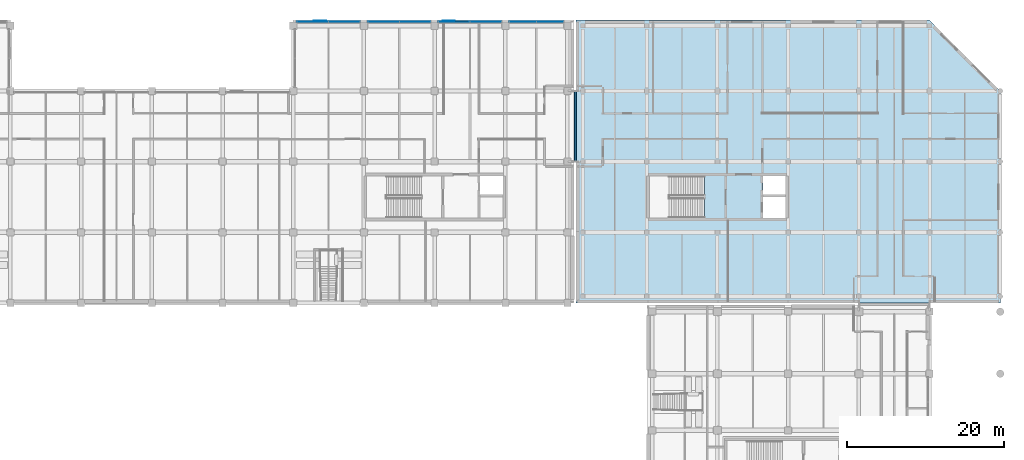
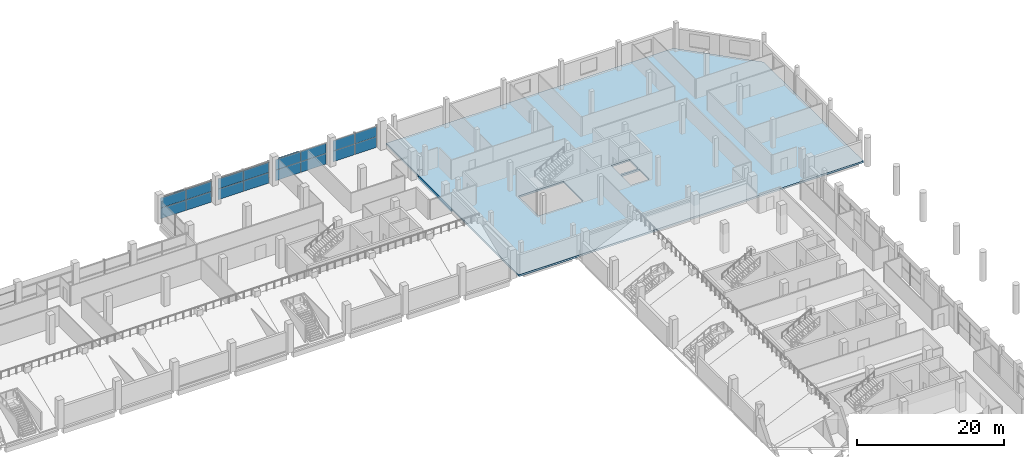
# One storey, part 50 of 100: 19 plates, 2 slabs, 4 elements without a shape of their own.
"""IFC4 building model written with IfcOpenShell, lengths in metres."""

from ifc_helpers import new_model, si_unit, direction, frame, origin, origin_2d, place, context, subcontext, project, spatial, polyline, rectangle, outline, extrude, material, layer, layer_set, type_object, element, aggregate, save


model = new_model("IFC4")

# Units and contexts
model_context = context("Model", 3, precision=1e-05, world=origin(), true_north=direction((0.0, 1.0)))
body_context = subcontext(model_context, "Body", "Model", "MODEL_VIEW")
ifc_project = project(units=[si_unit("LENGTHUNIT", "METRE"), si_unit("AREAUNIT", "SQUARE_METRE"), si_unit("VOLUMEUNIT", "CUBIC_METRE"), si_unit("PLANEANGLEUNIT", "RADIAN"), si_unit("MASSUNIT", "GRAM", prefix="KILO"), si_unit("THERMODYNAMICTEMPERATUREUNIT", "KELVIN"), si_unit("POWERUNIT", "WATT")], contexts=[model_context])

# Site, building, storey
site_placement = place(None, origin())
site = spatial("IfcSite", under=ifc_project, at=site_placement, CompositionType="ELEMENT")
building_placement = place(site_placement, origin())
building = spatial("IfcBuilding", under=site, at=building_placement, Name="Sindhuravela Promenade Stadium", CompositionType="ELEMENT")
storey_placement = place(building_placement, frame((0.0, 0.0, 4.800048828125)))
storey = spatial("IfcBuildingStorey", under=building, at=storey_placement, Name="L01", CompositionType="ELEMENT", Elevation=4.800048828125)

# Plates
ifc_material_1 = material(Name="Perforated terracotta celosia brick (15 MPa)", Category="masonry")
ifc_layer_1 = layer(ifc_material_1, 0.090087890625)
ifc_layer_set_1 = layer_set([ifc_layer_1], Name="Perforated terracotta celosia brick (15 MPa)")
plate_type_1 = type_object("IfcPlateType", Name="CL-SCR-01", PredefinedType="USERDEFINED", material=ifc_layer_set_1)
plate_1_placement = place(storey_placement, frame((129.405029296875, 161.8798828125, 0.0), z_axis=(0.0, 0.0, 1.0), x_axis=(1.0, 0.0, 0.0)))
element("IfcPlate", 1, at=plate_1_placement, inside=storey, type_object=plate_type_1, Name="Perforated brick celosia screen NORTH L01-148", ObjectType="SCREEN PANEL", PredefinedType="USERDEFINED", context=body_context, shape_type="SweptSolid", body=[
    extrude(rectangle(XDim=1.56005859375, YDim=0.090087890625, at=origin_2d()), origin(), (0.0, 0.0, 1.0), 3.580078125),
])
ifc_layer_2 = layer(ifc_material_1, 0.114990234375)
ifc_layer_set_2 = layer_set([ifc_layer_2], Name="Perforated terracotta celosia brick (15 MPa)")
plate_type_2 = type_object("IfcPlateType", Name="CL-SCR-02", PredefinedType="USERDEFINED", material=ifc_layer_set_2)
plate_2_placement = place(storey_placement, frame((145.804931640625, 161.8798828125, 0.0), z_axis=(0.0, 0.0, 1.0), x_axis=(1.0, 0.0, 0.0)))
element("IfcPlate", 2, at=plate_2_placement, inside=storey, type_object=plate_type_2, Name="Perforated brick celosia screen NORTH L01-149", ObjectType="SCREEN PANEL", PredefinedType="USERDEFINED", context=body_context, shape_type="SweptSolid", body=[
    extrude(rectangle(XDim=1.56005859375, YDim=0.114990234375, at=origin_2d()), origin(), (0.0, 0.0, 1.0), 3.580078125),
])
ifc_layer_3 = layer(ifc_material_1, 0.139892578125)
ifc_layer_set_3 = layer_set([ifc_layer_3], Name="Perforated terracotta celosia brick (15 MPa)")
plate_type_3 = type_object("IfcPlateType", Name="CL-SCR-03", PredefinedType="USERDEFINED", material=ifc_layer_set_3)
plate_3_placement = place(storey_placement, frame((147.405029296875, 161.8798828125, 0.0), z_axis=(0.0, 0.0, 1.0), x_axis=(1.0, 0.0, 0.0)))
element("IfcPlate", 3, at=plate_3_placement, inside=storey, type_object=plate_type_3, Name="Perforated brick celosia screen NORTH L01-150", ObjectType="SCREEN PANEL", PredefinedType="USERDEFINED", context=body_context, shape_type="SweptSolid", body=[
    extrude(rectangle(XDim=1.56005859375, YDim=0.139892578125, at=origin_2d()), origin(), (0.0, 0.0, 1.0), 3.580078125),
])

# Curtain wall, plates
ifc_material_2 = material(Name="Anodised architectural aluminium 6063-T6", Category="aluminium")
curtain_wall_type_1 = type_object("IfcCurtainWallType", Name="CW-MOD-5", PredefinedType="NOTDEFINED", material=ifc_material_2)
curtain_wall_1_placement = place(storey_placement, origin())
curtain_wall_1 = element("IfcCurtainWall", 4, at=curtain_wall_1_placement, inside=storey, type_object=curtain_wall_type_1, Name="Bronze curtain wall CW-NORTH-L01-148", PredefinedType="NOTDEFINED")
ifc_material_3 = material(Name="Tempered laminated low-E glass", Category="glass")
ifc_layer_4 = layer(ifc_material_3, 0.028076171875)
ifc_layer_set_4 = layer_set([ifc_layer_4], Name="Tempered laminated low-E glass")
plate_type_4 = type_object("IfcPlateType", Name="CW-PNL-01", PredefinedType="CURTAIN_PANEL", material=ifc_layer_set_4)
plate_4_placement = place(storey_placement, frame((128.5, 161.800048828125, 0.01513671875), z_axis=(0.0, 0.0, 1.0), x_axis=(1.0, 0.0, 0.0)))
plate_4 = element("IfcPlate", 5, at=plate_4_placement, type_object=plate_type_4, Name="Glazed curtain panel CW-NORTH-L01-148-P1.1", PredefinedType="CURTAIN_PANEL", context=body_context, shape_type="SweptSolid", body=[
    extrude(rectangle(XDim=3.93994140625, YDim=0.028076171875, at=origin_2d()), origin(), (0.0, 0.0, 1.0), 1.760009765625),
])
plate_5_placement = place(storey_placement, frame((128.5, 161.800048828125, 1.80517578125), z_axis=(0.0, 0.0, 1.0), x_axis=(1.0, 0.0, 0.0)))
plate_5 = element("IfcPlate", 6, at=plate_5_placement, type_object=plate_type_4, Name="Glazed curtain panel CW-NORTH-L01-148-P1.2", PredefinedType="CURTAIN_PANEL", context=body_context, shape_type="SweptSolid", body=[
    extrude(rectangle(XDim=3.93994140625, YDim=0.028076171875, at=origin_2d()), origin(), (0.0, 0.0, 1.0), 1.679931640625),
])
plate_6_placement = place(storey_placement, frame((132.5, 161.800048828125, 0.01513671875), z_axis=(0.0, 0.0, 1.0), x_axis=(1.0, 0.0, 0.0)))
plate_6 = element("IfcPlate", 7, at=plate_6_placement, type_object=plate_type_4, Name="Glazed curtain panel CW-NORTH-L01-148-P2.1", PredefinedType="CURTAIN_PANEL", context=body_context, shape_type="SweptSolid", body=[
    extrude(rectangle(XDim=3.93994140625, YDim=0.028076171875, at=origin_2d()), origin(), (0.0, 0.0, 1.0), 1.760009765625),
])
plate_7_placement = place(storey_placement, frame((132.5, 161.800048828125, 1.80517578125), z_axis=(0.0, 0.0, 1.0), x_axis=(1.0, 0.0, 0.0)))
plate_7 = element("IfcPlate", 8, at=plate_7_placement, type_object=plate_type_4, Name="Glazed curtain panel CW-NORTH-L01-148-P2.2", PredefinedType="CURTAIN_PANEL", context=body_context, shape_type="SweptSolid", body=[
    extrude(rectangle(XDim=3.93994140625, YDim=0.028076171875, at=origin_2d()), origin(), (0.0, 0.0, 1.0), 1.679931640625),
])
aggregate(curtain_wall_1, [plate_4, plate_5, plate_6, plate_7])

curtain_wall_type_2 = type_object("IfcCurtainWallType", Name="CW-MOD-7", PredefinedType="NOTDEFINED", material=ifc_material_2)
curtain_wall_2_placement = place(storey_placement, origin())
curtain_wall_2 = element("IfcCurtainWall", 9, at=curtain_wall_2_placement, inside=storey, type_object=curtain_wall_type_2, Name="Bronze curtain wall CW-NORTH-L01-150", PredefinedType="NOTDEFINED")
plate_8_placement = place(storey_placement, frame((146.5, 161.800048828125, 0.01513671875), z_axis=(0.0, 0.0, 1.0), x_axis=(1.0, 0.0, 0.0)))
plate_8 = element("IfcPlate", 10, at=plate_8_placement, type_object=plate_type_4, Name="Glazed curtain panel CW-NORTH-L01-150-P1.1", PredefinedType="CURTAIN_PANEL", context=body_context, shape_type="SweptSolid", body=[
    extrude(rectangle(XDim=3.93994140625, YDim=0.028076171875, at=origin_2d()), origin(), (0.0, 0.0, 1.0), 1.760009765625),
])
plate_9_placement = place(storey_placement, frame((146.5, 161.800048828125, 1.80517578125), z_axis=(0.0, 0.0, 1.0), x_axis=(1.0, 0.0, 0.0)))
plate_9 = element("IfcPlate", 11, at=plate_9_placement, type_object=plate_type_4, Name="Glazed curtain panel CW-NORTH-L01-150-P1.2", PredefinedType="CURTAIN_PANEL", context=body_context, shape_type="SweptSolid", body=[
    extrude(rectangle(XDim=3.93994140625, YDim=0.028076171875, at=origin_2d()), origin(), (0.0, 0.0, 1.0), 1.679931640625),
])
plate_10_placement = place(storey_placement, frame((150.5, 161.800048828125, 0.01513671875), z_axis=(0.0, 0.0, 1.0), x_axis=(1.0, 0.0, 0.0)))
plate_10 = element("IfcPlate", 12, at=plate_10_placement, type_object=plate_type_4, Name="Glazed curtain panel CW-NORTH-L01-150-P2.1", PredefinedType="CURTAIN_PANEL", context=body_context, shape_type="SweptSolid", body=[
    extrude(rectangle(XDim=3.93994140625, YDim=0.028076171875, at=origin_2d()), origin(), (0.0, 0.0, 1.0), 1.760009765625),
])
plate_11_placement = place(storey_placement, frame((150.5, 161.800048828125, 1.80517578125), z_axis=(0.0, 0.0, 1.0), x_axis=(1.0, 0.0, 0.0)))
plate_11 = element("IfcPlate", 13, at=plate_11_placement, type_object=plate_type_4, Name="Glazed curtain panel CW-NORTH-L01-150-P2.2", PredefinedType="CURTAIN_PANEL", context=body_context, shape_type="SweptSolid", body=[
    extrude(rectangle(XDim=3.93994140625, YDim=0.028076171875, at=origin_2d()), origin(), (0.0, 0.0, 1.0), 1.679931640625),
])
aggregate(curtain_wall_2, [plate_8, plate_9, plate_10, plate_11])

curtain_wall_type_3 = type_object("IfcCurtainWallType", Name="CW-MOD-6", PredefinedType="NOTDEFINED", material=ifc_material_2)
curtain_wall_3_placement = place(storey_placement, origin())
curtain_wall_3 = element("IfcCurtainWall", 14, at=curtain_wall_3_placement, inside=storey, type_object=curtain_wall_type_3, Name="Bronze curtain wall CW-NORTH-L01-149", PredefinedType="NOTDEFINED")
ifc_layer_5 = layer(ifc_material_3, 0.0400390625)
ifc_layer_set_5 = layer_set([ifc_layer_5], Name="Tempered laminated low-E glass")
plate_type_5 = type_object("IfcPlateType", Name="CW-PNL-02", PredefinedType="CURTAIN_PANEL", material=ifc_layer_set_5)
plate_12_placement = place(storey_placement, frame((137.5, 161.800048828125, 0.01513671875), z_axis=(0.0, 0.0, 1.0), x_axis=(1.0, 0.0, 0.0)))
plate_12 = element("IfcPlate", 15, at=plate_12_placement, type_object=plate_type_5, Name="Glazed curtain panel CW-NORTH-L01-149-P1.1", PredefinedType="CURTAIN_PANEL", context=body_context, shape_type="SweptSolid", body=[
    extrude(rectangle(XDim=3.93994140625, YDim=0.0400390625, at=origin_2d()), origin(), (0.0, 0.0, 1.0), 1.760009765625),
])
plate_13_placement = place(storey_placement, frame((137.5, 161.800048828125, 1.80517578125), z_axis=(0.0, 0.0, 1.0), x_axis=(1.0, 0.0, 0.0)))
plate_13 = element("IfcPlate", 16, at=plate_13_placement, type_object=plate_type_5, Name="Glazed curtain panel CW-NORTH-L01-149-P1.2", PredefinedType="CURTAIN_PANEL", context=body_context, shape_type="SweptSolid", body=[
    extrude(rectangle(XDim=3.93994140625, YDim=0.0400390625, at=origin_2d()), origin(), (0.0, 0.0, 1.0), 1.679931640625),
])
plate_14_placement = place(storey_placement, frame((141.5, 161.800048828125, 0.01513671875), z_axis=(0.0, 0.0, 1.0), x_axis=(1.0, 0.0, 0.0)))
plate_14 = element("IfcPlate", 17, at=plate_14_placement, type_object=plate_type_5, Name="Glazed curtain panel CW-NORTH-L01-149-P2.1", PredefinedType="CURTAIN_PANEL", context=body_context, shape_type="SweptSolid", body=[
    extrude(rectangle(XDim=3.93994140625, YDim=0.0400390625, at=origin_2d()), origin(), (0.0, 0.0, 1.0), 1.760009765625),
])
plate_15_placement = place(storey_placement, frame((141.5, 161.800048828125, 1.80517578125), z_axis=(0.0, 0.0, 1.0), x_axis=(1.0, 0.0, 0.0)))
plate_15 = element("IfcPlate", 18, at=plate_15_placement, type_object=plate_type_5, Name="Glazed curtain panel CW-NORTH-L01-149-P2.2", PredefinedType="CURTAIN_PANEL", context=body_context, shape_type="SweptSolid", body=[
    extrude(rectangle(XDim=3.93994140625, YDim=0.0400390625, at=origin_2d()), origin(), (0.0, 0.0, 1.0), 1.679931640625),
])
aggregate(curtain_wall_3, [plate_12, plate_13, plate_14, plate_15])

curtain_wall_type_4 = type_object("IfcCurtainWallType", Name="CW-MOD-8", PredefinedType="NOTDEFINED", material=ifc_material_2)
curtain_wall_4_placement = place(storey_placement, origin())
curtain_wall_4 = element("IfcCurtainWall", 19, at=curtain_wall_4_placement, inside=storey, type_object=curtain_wall_type_4, Name="Bronze curtain wall CW-NORTH-L01-151", PredefinedType="NOTDEFINED")
plate_16_placement = place(storey_placement, frame((155.22509765625, 161.800048828125, 0.01513671875), z_axis=(0.0, 0.0, 1.0), x_axis=(1.0, 0.0, 0.0)))
plate_16 = element("IfcPlate", 20, at=plate_16_placement, type_object=plate_type_5, Name="Glazed curtain panel CW-NORTH-L01-151-P1.1", PredefinedType="CURTAIN_PANEL", context=body_context, shape_type="SweptSolid", body=[
    extrude(rectangle(XDim=3.389892578125, YDim=0.0400390625, at=origin_2d()), origin(), (0.0, 0.0, 1.0), 1.760009765625),
])
plate_17_placement = place(storey_placement, frame((155.22509765625, 161.800048828125, 1.80517578125), z_axis=(0.0, 0.0, 1.0), x_axis=(1.0, 0.0, 0.0)))
plate_17 = element("IfcPlate", 21, at=plate_17_placement, type_object=plate_type_5, Name="Glazed curtain panel CW-NORTH-L01-151-P1.2", PredefinedType="CURTAIN_PANEL", context=body_context, shape_type="SweptSolid", body=[
    extrude(rectangle(XDim=3.389892578125, YDim=0.0400390625, at=origin_2d()), origin(), (0.0, 0.0, 1.0), 1.679931640625),
])
plate_18_placement = place(storey_placement, frame((158.675048828125, 161.800048828125, 0.01513671875), z_axis=(0.0, 0.0, 1.0), x_axis=(1.0, 0.0, 0.0)))
plate_18 = element("IfcPlate", 22, at=plate_18_placement, type_object=plate_type_5, Name="Glazed curtain panel CW-NORTH-L01-151-P2.1", PredefinedType="CURTAIN_PANEL", context=body_context, shape_type="SweptSolid", body=[
    extrude(rectangle(XDim=3.389892578125, YDim=0.0400390625, at=origin_2d()), origin(), (0.0, 0.0, 1.0), 1.760009765625),
])
plate_19_placement = place(storey_placement, frame((158.675048828125, 161.800048828125, 1.80517578125), z_axis=(0.0, 0.0, 1.0), x_axis=(1.0, 0.0, 0.0)))
plate_19 = element("IfcPlate", 23, at=plate_19_placement, type_object=plate_type_5, Name="Glazed curtain panel CW-NORTH-L01-151-P2.2", PredefinedType="CURTAIN_PANEL", context=body_context, shape_type="SweptSolid", body=[
    extrude(rectangle(XDim=3.389892578125, YDim=0.0400390625, at=origin_2d()), origin(), (0.0, 0.0, 1.0), 1.679931640625),
])
aggregate(curtain_wall_4, [plate_16, plate_17, plate_18, plate_19])

# Slabs
ifc_material_4 = material(Name="Concrete M50", Category="concrete")
ifc_layer_6 = layer(ifc_material_4, 0.360107421875)
ifc_layer_set_6 = layer_set([ifc_layer_6], Name="Concrete M50")
slab_type_1 = type_object("IfcSlabType", Name="SL-BRG-360", PredefinedType="FLOOR", material=ifc_layer_set_6)
slab_1_placement = place(storey_placement, frame((0.0, 0.0, -0.360107421875)))
element("IfcSlab", 24, at=slab_1_placement, inside=storey, type_object=slab_type_1, Name="Concourse link bridge L01 North-NE", PredefinedType="FLOOR", context=body_context, shape_type="SweptSolid", body=[
    extrude(outline(polyline([(161.75, 144.0), (162.0, 144.0), (162.0, 153.0), (161.75, 153.0), (161.75, 144.0)])), origin(), (0.0, 0.0, 1.0), 0.360107421875),
])
ifc_material_5 = material(Name="Concrete M40", Category="concrete")
ifc_layer_7 = layer(ifc_material_5, 0.300048828125)
ifc_layer_set_7 = layer_set([ifc_layer_7], Name="Concrete M40")
slab_type_2 = type_object("IfcSlabType", Name="SL-FLR-300", PredefinedType="FLOOR", material=ifc_layer_set_7)
slab_2_placement = place(storey_placement, frame((0.0, 0.0, -0.300048828125)))
element("IfcSlab", 25, at=slab_2_placement, inside=storey, type_object=slab_type_2, Name="Floor slab Pavilion NE L01", PredefinedType="FLOOR", context=body_context, shape_type="SweptSolid", body=[
    extrude(outline(polyline([(162.0, 126.0), (216.0, 126.0), (216.0, 153.0), (207.0, 162.0), (162.0, 162.0), (162.0, 126.0)]), holes=[polyline([(171.300048828125, 136.800048828125), (178.34912109375, 136.800048828125), (178.34912109375, 142.199951171875), (171.300048828125, 142.199951171875), (171.300048828125, 136.800048828125)]), polyline([(185.800048828125, 139.800048828125), (188.699951171875, 139.800048828125), (188.699951171875, 142.199951171875), (185.800048828125, 142.199951171875), (185.800048828125, 139.800048828125)]), polyline([(185.800048828125, 136.800048828125), (188.699951171875, 136.800048828125), (188.699951171875, 139.5), (185.800048828125, 139.5), (185.800048828125, 136.800048828125)])]), origin(), (0.0, 0.0, 1.0), 0.300048828125),
])

save(model, "model.ifc")
